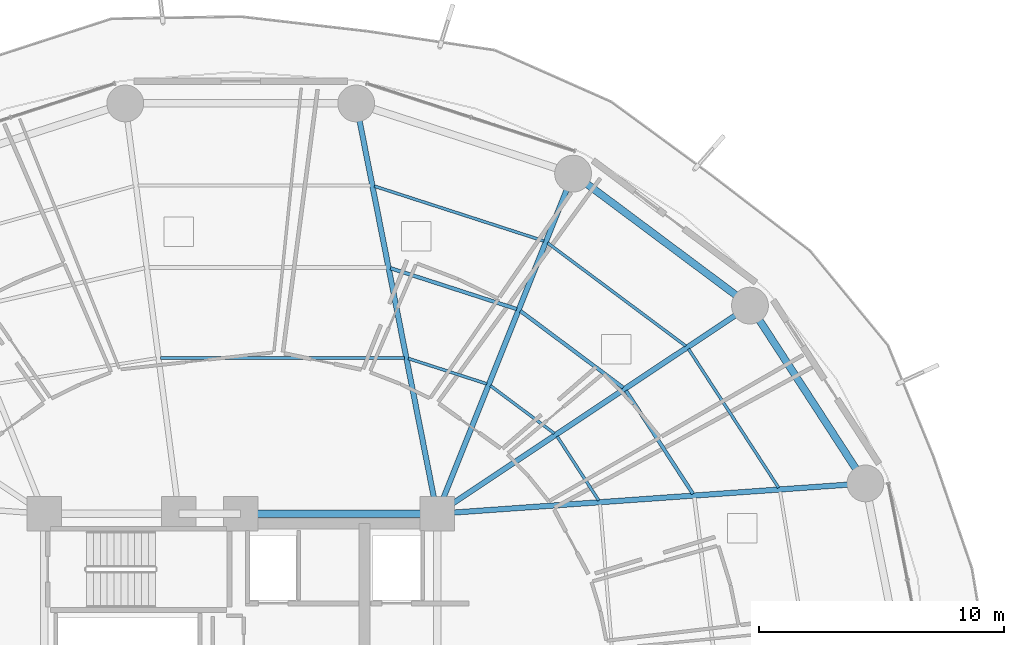
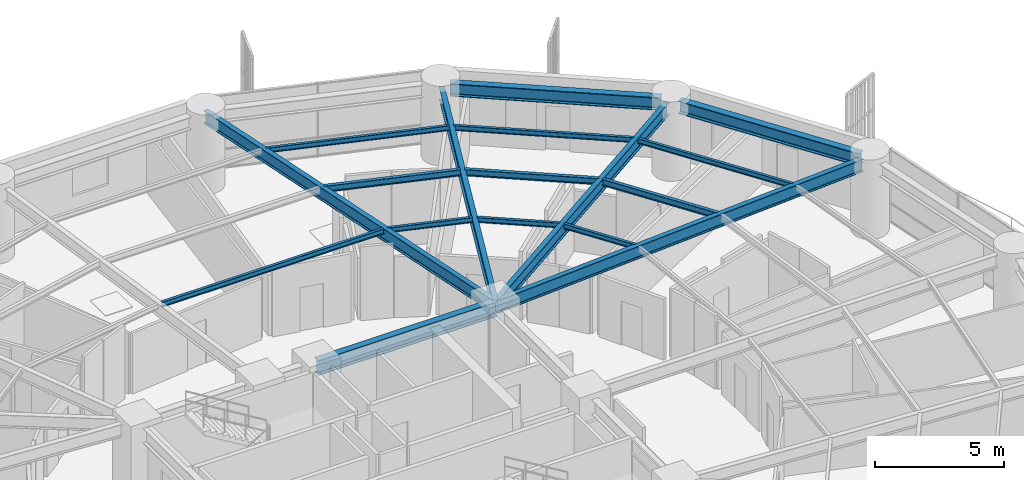
# One storey, part 18 of 32: 17 beams.
"""IFC4 building model written with IfcOpenShell, lengths in metres."""

from ifc_helpers import new_model, si_unit, direction, frame, origin, origin_2d, place, context, subcontext, project, spatial, i_section, extrude, material, material_profile, profile_set, type_object, element, save


model = new_model("IFC4")

# Units and contexts
model_context = context("Model", 3, precision=1e-05, world=origin(), true_north=direction((0.0, 1.0)))
body_context = subcontext(model_context, "Body", "Model", "MODEL_VIEW")
ifc_project = project(units=[si_unit("LENGTHUNIT", "METRE"), si_unit("AREAUNIT", "SQUARE_METRE"), si_unit("VOLUMEUNIT", "CUBIC_METRE"), si_unit("PLANEANGLEUNIT", "RADIAN"), si_unit("MASSUNIT", "GRAM", prefix="KILO")], contexts=[model_context])

# Site, building, storey
site_placement = place(None, origin())
site = spatial("IfcSite", under=ifc_project, at=site_placement, CompositionType="ELEMENT")
building_placement = place(site_placement, origin())
building = spatial("IfcBuilding", under=site, at=building_placement, Name="Kelanora Arch Commons", CompositionType="ELEMENT")
storey_placement = place(building_placement, frame((0.0, 0.0, 48.75)))
storey = spatial("IfcBuildingStorey", under=building, at=storey_placement, Name="L12", CompositionType="ELEMENT", Elevation=48.75)

# Beams
ifc_material = material(Name="Steel S355", Category="steel")
ifc_material_profile_1 = material_profile(ifc_material, i_section(OverallWidth=0.300048828125, OverallDepth=0.699951171875, WebThickness=0.01708984375, FlangeThickness=0.031982421875, FilletRadius=0.027099609375, at=origin_2d()), Name="HEB700")
ifc_profile_set_1 = profile_set([ifc_material_profile_1], Name="Steel S355")
beam_type_1 = type_object("IfcBeamType", Name="BM-CORE-HDR", PredefinedType="BEAM", material=ifc_profile_set_1)
beam_1_placement = place(storey_placement, frame((82.0, 65.0, 3.139892578125), z_axis=(-1.0, 0.0, 0.0), x_axis=(0.0, -1.0, 0.0)))
element("IfcBeam", 1, at=beam_1_placement, inside=storey, type_object=beam_type_1, Name="Core Header Beam 05 L12", PredefinedType="BEAM", context=body_context, shape_type="SweptSolid", body=[
    extrude(i_section(OverallWidth=0.300048828125, OverallDepth=0.699951171875, WebThickness=0.01708984375, FlangeThickness=0.031982421875, FilletRadius=0.027099609375, at=origin_2d()), origin(), (0.0, 0.0, 1.0), 8.0),
])
ifc_material_profile_2 = material_profile(ifc_material, i_section(OverallWidth=0.14990234375, OverallDepth=0.300048828125, WebThickness=0.007080078125, FlangeThickness=0.0107421875, FilletRadius=0.014892578125, at=origin_2d()), Name="IPE300")
ifc_profile_set_2 = profile_set([ifc_material_profile_2], Name="Steel S355")
beam_type_2 = type_object("IfcBeamType", Name="BM-JST-01", PredefinedType="JOIST", material=ifc_profile_set_2)
beam_2_placement = place(storey_placement, frame((92.421875, 65.812744140625, 3.340087890625), z_axis=(-0.544551588245, 0.838727350061, 0.0), x_axis=(-0.838727350061, -0.544551588245, 0.0)))
element("IfcBeam", 2, at=beam_2_placement, inside=storey, type_object=beam_type_2, Name="Secondary Chord Joist BJB-02 L12", PredefinedType="JOIST", context=body_context, shape_type="SweptSolid", body=[
    extrude(i_section(OverallWidth=0.14990234375, OverallDepth=0.300048828125, WebThickness=0.007080078125, FlangeThickness=0.0107421875, FilletRadius=0.014892578125, at=origin_2d()), origin(), (0.0, 0.0, 1.0), 5.010986328125),
])
beam_3_placement = place(storey_placement, frame((89.57861328125, 70.1376953125, 3.340087890625), z_axis=(-0.801478251559, 0.598023922831, 0.0), x_axis=(-0.598023922831, -0.801478251559, 0.0)))
element("IfcBeam", 3, at=beam_3_placement, inside=storey, type_object=beam_type_2, Name="Secondary Chord Joist BJB-04 L12", PredefinedType="JOIST", context=body_context, shape_type="SweptSolid", body=[
    extrude(i_section(OverallWidth=0.14990234375, OverallDepth=0.300048828125, WebThickness=0.007080078125, FlangeThickness=0.0107421875, FilletRadius=0.014892578125, at=origin_2d()), origin(), (0.0, 0.0, 1.0), 5.223388671875),
])
beam_4_placement = place(storey_placement, frame((85.2431640625, 73.33837890625, 3.340087890625), z_axis=(-0.951412209627, 0.307920131482, 0.0), x_axis=(-0.307920131482, -0.951412209627, 0.0)))
element("IfcBeam", 4, at=beam_4_placement, inside=storey, type_object=beam_type_2, Name="Secondary Chord Joist BJB-06 L12", PredefinedType="JOIST", context=body_context, shape_type="SweptSolid", body=[
    extrude(i_section(OverallWidth=0.14990234375, OverallDepth=0.300048828125, WebThickness=0.007080078125, FlangeThickness=0.0107421875, FilletRadius=0.014892578125, at=origin_2d()), origin(), (0.0, 0.0, 1.0), 5.4033203125),
])
ifc_material_profile_3 = material_profile(ifc_material, i_section(OverallWidth=0.1201171875, OverallDepth=0.239990234375, WebThickness=0.006103515625, FlangeThickness=0.009765625, FilletRadius=0.014892578125, at=origin_2d()), Name="IPE240")
ifc_profile_set_3 = profile_set([ifc_material_profile_3], Name="Steel S355")
beam_type_3 = type_object("IfcBeamType", Name="BM-JST-02", PredefinedType="JOIST", material=ifc_profile_set_3)
beam_5_placement = place(storey_placement, frame((88.58349609375, 65.541015625, 3.3701171875), z_axis=(-0.544591105858, 0.838701691557, 0.0), x_axis=(-0.838701691557, -0.544591105858, 0.0)))
element("IfcBeam", 5, at=beam_5_placement, inside=storey, type_object=beam_type_3, Name="Secondary Chord Joist BJA-02 L12", PredefinedType="JOIST", context=body_context, shape_type="SweptSolid", body=[
    extrude(i_section(OverallWidth=0.1201171875, OverallDepth=0.239990234375, WebThickness=0.006103515625, FlangeThickness=0.009765625, FilletRadius=0.014892578125, at=origin_2d()), origin(), (0.0, 0.0, 1.0), 3.111328125),
])
beam_6_placement = place(storey_placement, frame((95.9111328125, 66.059814453125, 3.3701171875), z_axis=(-0.544550165372, 0.838728273873, 0.0), x_axis=(-0.838728273873, -0.544550165372, 0.0)))
element("IfcBeam", 6, at=beam_6_placement, inside=storey, type_object=beam_type_3, Name="Secondary Chord Joist BJC-02 L12", PredefinedType="JOIST", context=body_context, shape_type="SweptSolid", body=[
    extrude(i_section(OverallWidth=0.1201171875, OverallDepth=0.239990234375, WebThickness=0.006103515625, FlangeThickness=0.009765625, FilletRadius=0.014892578125, at=origin_2d()), origin(), (0.0, 0.0, 1.0), 6.738037109375),
])
beam_7_placement = place(storey_placement, frame((86.77490234375, 68.272705078125, 3.3701171875), z_axis=(-0.801513822608, 0.59797624716, 0.0), x_axis=(-0.59797624716, -0.801513822608, 0.0)))
element("IfcBeam", 7, at=beam_7_placement, inside=storey, type_object=beam_type_3, Name="Secondary Chord Joist BJA-04 L12", PredefinedType="JOIST", context=body_context, shape_type="SweptSolid", body=[
    extrude(i_section(OverallWidth=0.1201171875, OverallDepth=0.239990234375, WebThickness=0.006103515625, FlangeThickness=0.009765625, FilletRadius=0.014892578125, at=origin_2d()), origin(), (0.0, 0.0, 1.0), 3.245849609375),
])
beam_8_placement = place(storey_placement, frame((92.12744140625, 71.83349609375, 3.3701171875), z_axis=(-0.80149131963, 0.598006408459, 0.0), x_axis=(-0.598006408459, -0.80149131963, 0.0)))
element("IfcBeam", 8, at=beam_8_placement, inside=storey, type_object=beam_type_3, Name="Secondary Chord Joist BJC-04 L12", PredefinedType="JOIST", context=body_context, shape_type="SweptSolid", body=[
    extrude(i_section(OverallWidth=0.1201171875, OverallDepth=0.239990234375, WebThickness=0.006103515625, FlangeThickness=0.009765625, FilletRadius=0.014892578125, at=origin_2d()), origin(), (0.0, 0.0, 1.0), 7.021240234375),
])
beam_9_placement = place(storey_placement, frame((84.0244140625, 70.290771484375, 3.3701171875), z_axis=(-0.951422608074, 0.30788800049, 0.0), x_axis=(-0.30788800049, -0.951422608074, 0.0)))
element("IfcBeam", 9, at=beam_9_placement, inside=storey, type_object=beam_type_3, Name="Secondary Chord Joist BJA-06 L12", PredefinedType="JOIST", context=body_context, shape_type="SweptSolid", body=[
    extrude(i_section(OverallWidth=0.1201171875, OverallDepth=0.239990234375, WebThickness=0.006103515625, FlangeThickness=0.009765625, FilletRadius=0.014892578125, at=origin_2d()), origin(), (0.0, 0.0, 1.0), 3.359619140625),
])
beam_10_placement = place(storey_placement, frame((86.35107421875, 76.109375, 3.3701171875), z_axis=(-0.951410915705, 0.307924129418, 0.0), x_axis=(-0.307924129418, -0.951410915705, 0.0)))
element("IfcBeam", 10, at=beam_10_placement, inside=storey, type_object=beam_type_3, Name="Secondary Chord Joist BJC-06 L12", PredefinedType="JOIST", context=body_context, shape_type="SweptSolid", body=[
    extrude(i_section(OverallWidth=0.1201171875, OverallDepth=0.239990234375, WebThickness=0.006103515625, FlangeThickness=0.009765625, FilletRadius=0.014892578125, at=origin_2d()), origin(), (0.0, 0.0, 1.0), 7.260986328125),
])
beam_11_placement = place(storey_placement, frame((80.661865234375, 71.351318359375, 3.3701171875), z_axis=(-1.0, 0.0, 0.0), x_axis=(0.0, -1.0, 0.0)))
element("IfcBeam", 11, at=beam_11_placement, inside=storey, type_object=beam_type_3, Name="Secondary Chord Joist BJA-08 L12", PredefinedType="JOIST", context=body_context, shape_type="SweptSolid", body=[
    extrude(i_section(OverallWidth=0.1201171875, OverallDepth=0.239990234375, WebThickness=0.006103515625, FlangeThickness=0.009765625, FilletRadius=0.014892578125, at=origin_2d()), origin(), (0.0, 0.0, 1.0), 9.92626953125),
])
ifc_material_profile_4 = material_profile(ifc_material, i_section(OverallWidth=0.219970703125, OverallDepth=0.60009765625, WebThickness=0.011962890625, FlangeThickness=0.01904296875, FilletRadius=0.02392578125, at=origin_2d()), Name="IPE600")
ifc_profile_set_4 = profile_set([ifc_material_profile_4], Name="Steel S355")
beam_type_4 = type_object("IfcBeamType", Name="BM-RAD-Z1", PredefinedType="BEAM", material=ifc_profile_set_4)
beam_12_placement = place(storey_placement, frame((82.0, 65.0, 3.18994140625), z_axis=(0.997500678462, 0.070656892572, 0.0), x_axis=(-0.070656892572, 0.997500678462, 0.0)))
element("IfcBeam", 12, at=beam_12_placement, inside=storey, type_object=beam_type_4, Name="Radial Floor Girder BR-02 L12", PredefinedType="BEAM", context=body_context, shape_type="SweptSolid", body=[
    extrude(i_section(OverallWidth=0.219970703125, OverallDepth=0.60009765625, WebThickness=0.011962890625, FlangeThickness=0.01904296875, FilletRadius=0.02392578125, at=origin_2d()), origin(), (0.0, 0.0, 1.0), 17.110595703125),
])
beam_13_placement = place(storey_placement, frame((82.0, 65.0, 3.18994140625), z_axis=(0.832590897434, 0.553888434173, 0.0), x_axis=(-0.553888434173, 0.832590897434, 0.0)))
element("IfcBeam", 13, at=beam_13_placement, inside=storey, type_object=beam_type_4, Name="Radial Floor Girder BR-04 L12", PredefinedType="BEAM", context=body_context, shape_type="SweptSolid", body=[
    extrude(i_section(OverallWidth=0.219970703125, OverallDepth=0.60009765625, WebThickness=0.011962890625, FlangeThickness=0.01904296875, FilletRadius=0.02392578125, at=origin_2d()), origin(), (0.0, 0.0, 1.0), 14.9267578125),
])
beam_14_placement = place(storey_placement, frame((82.0, 65.0, 3.18994140625), z_axis=(0.37129803903, 0.928513740454, 0.0), x_axis=(-0.928513740454, 0.37129803903, 0.0)))
element("IfcBeam", 14, at=beam_14_placement, inside=storey, type_object=beam_type_4, Name="Radial Floor Girder BR-06 L12", PredefinedType="BEAM", context=body_context, shape_type="SweptSolid", body=[
    extrude(i_section(OverallWidth=0.219970703125, OverallDepth=0.60009765625, WebThickness=0.011962890625, FlangeThickness=0.01904296875, FilletRadius=0.02392578125, at=origin_2d()), origin(), (0.0, 0.0, 1.0), 14.540771484375),
])
beam_15_placement = place(storey_placement, frame((82.0, 65.0, 3.18994140625), z_axis=(-0.19356352044, 0.981087745084, 0.0), x_axis=(-0.981087745084, -0.19356352044, 0.0)))
element("IfcBeam", 15, at=beam_15_placement, inside=storey, type_object=beam_type_4, Name="Radial Floor Girder BR-08 L12", PredefinedType="BEAM", context=body_context, shape_type="SweptSolid", body=[
    extrude(i_section(OverallWidth=0.219970703125, OverallDepth=0.60009765625, WebThickness=0.011962890625, FlangeThickness=0.01904296875, FilletRadius=0.02392578125, at=origin_2d()), origin(), (0.0, 0.0, 1.0), 17.036376953125),
])
ifc_material_profile_5 = material_profile(ifc_material, i_section(OverallWidth=0.300048828125, OverallDepth=0.60009765625, WebThickness=0.015380859375, FlangeThickness=0.030029296875, FilletRadius=0.027099609375, at=origin_2d()), Name="HEB600")
ifc_profile_set_5 = profile_set([ifc_material_profile_5], Name="Steel S355")
beam_type_5 = type_object("IfcBeamType", Name="BM-SPN-Z1", PredefinedType="SPANDREL", material=ifc_profile_set_5)
beam_16_placement = place(storey_placement, frame((99.239990234375, 66.554443359375, 3.18994140625), z_axis=(-0.54455786519, 0.838723274662, 0.0), x_axis=(-0.838723274662, -0.54455786519, 0.0)))
element("IfcBeam", 16, at=beam_16_placement, inside=storey, type_object=beam_type_5, Name="Perimeter Spandrel Beam BS-02 L12", PredefinedType="SPANDREL", context=body_context, shape_type="SweptSolid", body=[
    extrude(i_section(OverallWidth=0.300048828125, OverallDepth=0.60009765625, WebThickness=0.015380859375, FlangeThickness=0.030029296875, FilletRadius=0.027099609375, at=origin_2d()), origin(), (0.0, 0.0, 1.0), 7.875244140625),
])
beam_17_placement = place(storey_placement, frame((94.43994140625, 73.70556640625, 3.18994140625), z_axis=(-0.801482139897, 0.598018711601, 0.0), x_axis=(-0.598018711601, -0.801482139897, 0.0)))
element("IfcBeam", 17, at=beam_17_placement, inside=storey, type_object=beam_type_5, Name="Perimeter Spandrel Beam BS-04 L12", PredefinedType="SPANDREL", context=body_context, shape_type="SweptSolid", body=[
    extrude(i_section(OverallWidth=0.300048828125, OverallDepth=0.60009765625, WebThickness=0.015380859375, FlangeThickness=0.030029296875, FilletRadius=0.027099609375, at=origin_2d()), origin(), (0.0, 0.0, 1.0), 8.22900390625),
])

save(model, "model.ifc")
